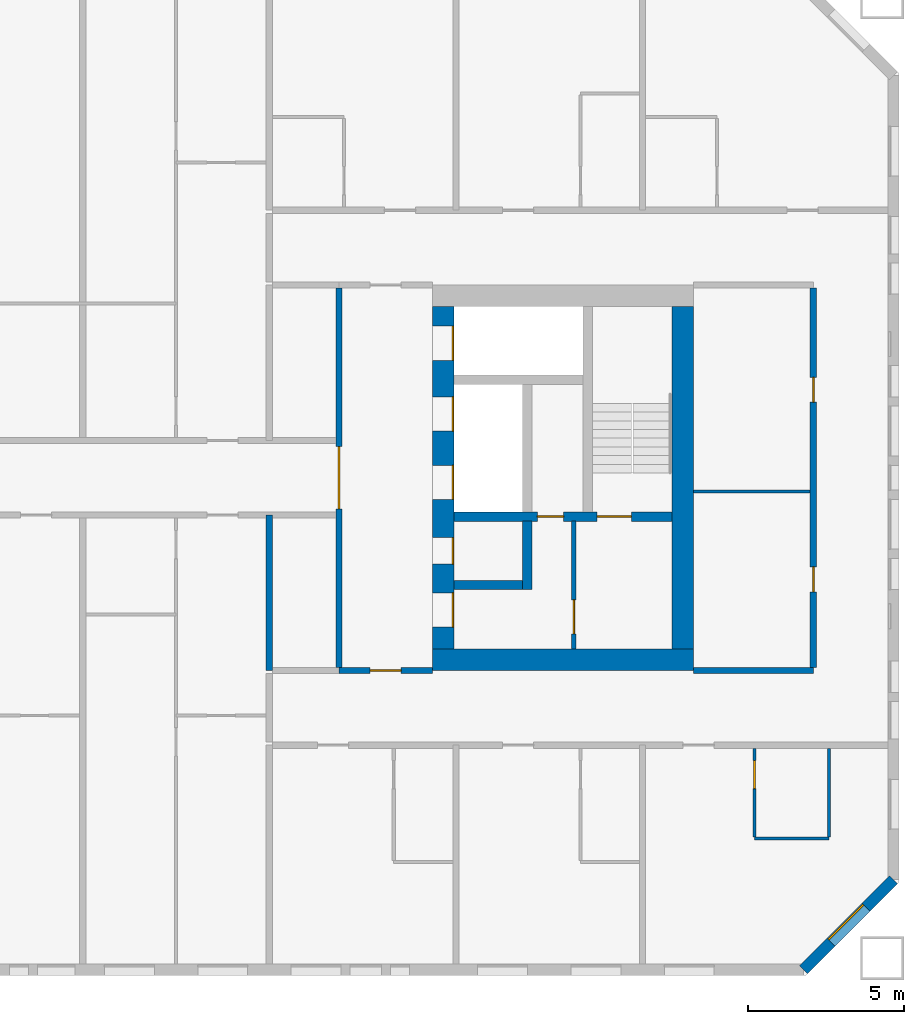
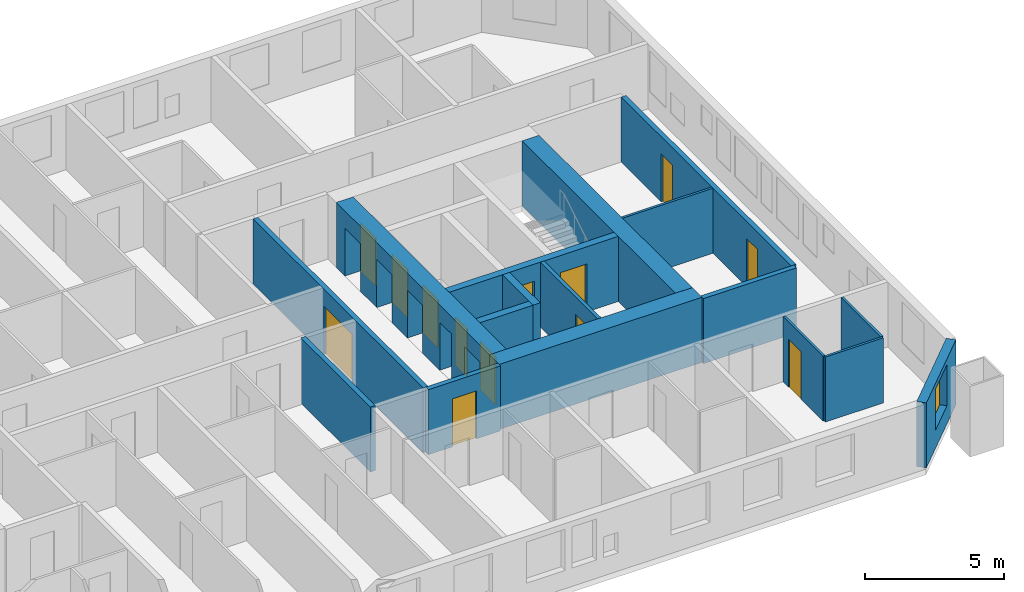
# One storey, part 12 of 17: 17 walls, 13 doors, 1 window, 14 openings.
"""IFC4 building model written with IfcOpenShell, lengths in metres."""

from ifc_helpers import new_model, si_unit, direction, frame, frame_2d, origin, place, context, subcontext, project, spatial, rectangle, extrude, material, layer, layer_set, type_object, element, fill, save


model = new_model("IFC4")

# Units and contexts
model_context = context("Model", 3, precision=1e-05, world=origin(), true_north=direction((0.0, 1.0)))
body_context = subcontext(model_context, "Body", "Model", "MODEL_VIEW")
ifc_project = project(units=[si_unit("LENGTHUNIT", "METRE"), si_unit("AREAUNIT", "SQUARE_METRE"), si_unit("VOLUMEUNIT", "CUBIC_METRE"), si_unit("PLANEANGLEUNIT", "RADIAN"), si_unit("MASSUNIT", "GRAM", prefix="KILO")], contexts=[model_context])

# Site, building, storey
site_placement = place(None, origin())
site = spatial("IfcSite", under=ifc_project, at=site_placement, CompositionType="ELEMENT")
building_placement = place(site_placement, origin())
building = spatial("IfcBuilding", under=site, at=building_placement, Name="Tuart Gate Housing", CompositionType="ELEMENT")
storey_placement = place(building_placement, frame((0.0, 0.0, 80.89990234375)))
storey = spatial("IfcBuildingStorey", under=building, at=storey_placement, Name="L22", CompositionType="ELEMENT", Elevation=80.89990234375)

# Wall, opening, window
ifc_material_1 = material(Name="Brick", Category="masonry")
ifc_layer_1 = layer(ifc_material_1, 0.360107421875)
ifc_layer_set_1 = layer_set([ifc_layer_1], Name="Brick pier and spandrel wall 360")
wall_type_1 = type_object("IfcWallType", Name="Brick pier and spandrel wall 360", PredefinedType="STANDARD", material=ifc_layer_set_1)
wall_1_placement = place(storey_placement, frame((172.17529296875, 54.179931640625, 0.0), z_axis=(0.0, 0.0, 1.0), x_axis=(0.707106781187, 0.707106781187, 0.0)))
wall_1 = element("IfcWall", 1, at=wall_1_placement, inside=storey, type_object=wall_type_1, Name="External wall B-SE L22", PredefinedType="STANDARD", context=body_context, shape_type="SweptSolid", body=[
    extrude(rectangle(XDim=4.09375, YDim=0.360107421875, at=frame_2d((2.046875, 0.0))), origin(), (0.0, 0.0, 1.0), 2.85009765625),
])
opening_1_placement = place(wall_1_placement, frame((1.2470703125, 0.0, 0.800048828125)))
opening_1 = element("IfcOpeningElement", 2, at=opening_1_placement, cuts=wall_1, Name="Opening W1", PredefinedType="OPENING", context=body_context, shape_type="SweptSolid", body=[
    extrude(rectangle(XDim=1.60009765625, YDim=1.800048828125, at=frame_2d((0.800048828125, 0.89990234375))), frame((0.0, 0.18994140625, 0.0), z_axis=(0.0, -1.0, 0.0), x_axis=(1.0, 0.0, 0.0)), (0.0, 0.0, 1.0), 0.380126953125),
])
ifc_material_2 = material(Name="Aluminium frame with clear glass", Category="aluminium")
window_type = type_object("IfcWindowType", Name="Punched window 1600 x 1800", PartitioningType="SINGLE_PANEL", PredefinedType="WINDOW", material=ifc_material_2)
window_placement = place(opening_1_placement, origin())
window = element("IfcWindow", 3, at=window_placement, inside=storey, type_object=window_type, Name="Window W1", OverallHeight=1.800048828125, OverallWidth=1.60009765625, PartitioningType="SINGLE_PANEL", PredefinedType="WINDOW", context=body_context, shape_type="SweptSolid", body=[
    extrude(rectangle(XDim=1.60009765625, YDim=1.800048828125, at=frame_2d((0.800048828125, 0.89990234375))), frame((0.0, 0.150146484375, 0.0), z_axis=(0.0, -1.0, 0.0), x_axis=(1.0, 0.0, 0.0)), (0.0, 0.0, 1.0), 0.06005859375),
])
fill(opening_1, window)

# Wall, opening, door
ifc_material_3 = material(Name="Plasterboard partition")
ifc_layer_2 = layer(ifc_material_3, 0.14990234375)
ifc_layer_set_2 = layer_set([ifc_layer_2], Name="Core partition 150")
wall_type_2 = type_object("IfcWallType", Name="Core partition 150", PredefinedType="PARTITIONING", material=ifc_layer_set_2)
wall_2_placement = place(storey_placement, frame((164.7900390625, 68.60009765625, 0.0), z_axis=(0.0, 0.0, 1.0), x_axis=(0.0, -1.0, 0.0)))
wall_2 = element("IfcWall", 4, at=wall_2_placement, inside=storey, type_object=wall_type_2, Name="Core partition BK.6", PredefinedType="PARTITIONING", context=body_context, shape_type="SweptSolid", body=[
    extrude(rectangle(XDim=4.10009765625, YDim=0.14990234375, at=frame_2d((2.050048828125, 0.0))), origin(), (0.0, 0.0, 1.0), 2.85009765625),
])
opening_2_placement = place(wall_2_placement, frame((2.52490234375, 0.0, 0.0)))
opening_2 = element("IfcOpeningElement", 5, at=opening_2_placement, cuts=wall_2, Name="Opening D1047", PredefinedType="OPENING", context=body_context, shape_type="SweptSolid", body=[
    extrude(rectangle(XDim=1.10009765625, YDim=2.10009765625, at=frame_2d((0.550048828125, 1.050048828125))), frame((0.0, 0.0849609375, 0.0), z_axis=(0.0, -1.0, 0.0), x_axis=(1.0, 0.0, 0.0)), (0.0, 0.0, 1.0), 0.169921875),
])
ifc_material_4 = material(Name="Steel fire door", Category="steel")
door_type_1 = type_object("IfcDoorType", Name="Lobby door 1100 x 2100 RH", OperationType="SINGLE_SWING_RIGHT", PredefinedType="DOOR", material=ifc_material_4)
door_1_placement = place(opening_2_placement, origin())
door_1 = element("IfcDoor", 6, at=door_1_placement, inside=storey, type_object=door_type_1, Name="Smoke lobby door BK.KD", OperationType="SINGLE_SWING_RIGHT", OverallHeight=2.10009765625, OverallWidth=1.10009765625, PredefinedType="DOOR", context=body_context, shape_type="SweptSolid", body=[
    extrude(rectangle(XDim=1.10009765625, YDim=2.10009765625, at=frame_2d((0.550048828125, 1.050048828125))), frame((0.0, 0.02490234375, 0.0), z_axis=(0.0, -1.0, 0.0), x_axis=(1.0, 0.0, 0.0)), (0.0, 0.0, 1.0), 0.050048828125),
])
fill(opening_2, door_1)

# Wall, openings, doors
ifc_material_5 = material(Name="Concrete C50", Category="concrete")
ifc_layer_3 = layer(ifc_material_5, 0.300048828125)
ifc_layer_set_3 = layer_set([ifc_layer_3], Name="Core wall 300 C50")
wall_type_3 = type_object("IfcWallType", Name="Core wall 300 C50", PredefinedType="SHEAR", material=ifc_layer_set_3)
wall_3_placement = place(storey_placement, frame((160.93994140625, 68.75, 0.0), z_axis=(0.0, 0.0, 1.0), x_axis=(1.0, 0.0, 0.0)))
wall_3 = element("IfcWall", 7, at=wall_3_placement, inside=storey, type_object=wall_type_3, Name="Core wall BK.2", PredefinedType="SHEAR", context=body_context, shape_type="SweptSolid", body=[
    extrude(rectangle(XDim=7.0, YDim=0.300048828125, at=frame_2d((3.5, 0.0))), origin(), (0.0, 0.0, 1.0), 2.85009765625),
])
opening_3_placement = place(wall_3_placement, frame((4.60009765625, 0.0, 0.0)))
opening_3 = element("IfcOpeningElement", 8, at=opening_3_placement, cuts=wall_3, Name="Opening D1046", PredefinedType="OPENING", context=body_context, shape_type="SweptSolid", body=[
    extrude(rectangle(XDim=1.10009765625, YDim=2.10009765625, at=frame_2d((0.550048828125, 1.050048828125))), frame((0.0, 0.159912109375, 0.0), z_axis=(0.0, -1.0, 0.0), x_axis=(1.0, 0.0, 0.0)), (0.0, 0.0, 1.0), 0.320068359375),
])
opening_4_placement = place(wall_3_placement, frame((2.675048828125, 0.0, 0.0)))
opening_4 = element("IfcOpeningElement", 9, at=opening_4_placement, cuts=wall_3, Name="Opening D1045", PredefinedType="OPENING", context=body_context, shape_type="SweptSolid", body=[
    extrude(rectangle(XDim=0.85009765625, YDim=2.10009765625, at=frame_2d((0.425048828125, 1.050048828125))), frame((0.0, 0.159912109375, 0.0), z_axis=(0.0, -1.0, 0.0), x_axis=(1.0, 0.0, 0.0)), (0.0, 0.0, 1.0), 0.320068359375),
])
ifc_material_6 = material(Name="Steel fire door", Category="steel")
door_type_2 = type_object("IfcDoorType", Name="Riser door 850 x 2100", OperationType="SINGLE_SWING_LEFT", PredefinedType="DOOR", material=ifc_material_6)
door_2_placement = place(opening_4_placement, origin())
door_2 = element("IfcDoor", 10, at=door_2_placement, inside=storey, type_object=door_type_2, Name="Service room door BK.W1", OperationType="SINGLE_SWING_LEFT", OverallHeight=2.10009765625, OverallWidth=0.85009765625, PredefinedType="DOOR", context=body_context, shape_type="SweptSolid", body=[
    extrude(rectangle(XDim=0.85009765625, YDim=2.10009765625, at=frame_2d((0.425048828125, 1.050048828125))), frame((0.0, 0.02490234375, 0.0), z_axis=(0.0, -1.0, 0.0), x_axis=(1.0, 0.0, 0.0)), (0.0, 0.0, 1.0), 0.050048828125),
])
fill(opening_4, door_2)
ifc_material_7 = material(Name="Steel fire door", Category="steel")
door_type_3 = type_object("IfcDoorType", Name="Stair door 1100 x 2100", OperationType="SINGLE_SWING_LEFT", PredefinedType="DOOR", material=ifc_material_7)
door_3_placement = place(opening_3_placement, origin())
door_3 = element("IfcDoor", 11, at=door_3_placement, inside=storey, type_object=door_type_3, Name="Stair door BK.SD", OperationType="SINGLE_SWING_LEFT", OverallHeight=2.10009765625, OverallWidth=1.10009765625, PredefinedType="DOOR", context=body_context, shape_type="SweptSolid", body=[
    extrude(rectangle(XDim=1.10009765625, YDim=2.10009765625, at=frame_2d((0.550048828125, 1.050048828125))), frame((0.0, 0.02490234375, 0.0), z_axis=(0.0, -1.0, 0.0), x_axis=(1.0, 0.0, 0.0)), (0.0, 0.0, 1.0), 0.050048828125),
])
fill(opening_3, door_3)

# Walls
wall_4_placement = place(storey_placement, frame((160.93994140625, 66.550048828125, 0.0), z_axis=(0.0, 0.0, 1.0), x_axis=(1.0, 0.0, 0.0)))
element("IfcWall", 12, at=wall_4_placement, inside=storey, type_object=wall_type_3, Name="Core wall BK.3", PredefinedType="SHEAR", context=body_context, shape_type="SweptSolid", body=[
    extrude(rectangle(XDim=2.199951171875, YDim=0.300048828125, at=frame_2d((1.10009765625, 0.0))), origin(), (0.0, 0.0, 1.0), 2.85009765625),
])
wall_5_placement = place(storey_placement, frame((163.2900390625, 68.60009765625, 0.0), z_axis=(0.0, 0.0, 1.0), x_axis=(0.0, -1.0, 0.0)))
element("IfcWall", 13, at=wall_5_placement, inside=storey, type_object=wall_type_3, Name="Core wall BK.5", PredefinedType="SHEAR", context=body_context, shape_type="SweptSolid", body=[
    extrude(rectangle(XDim=2.2001953125, YDim=0.300048828125, at=frame_2d((1.10009765625, 0.0))), origin(), (0.0, 0.0, 1.0), 2.85009765625),
])

# Wall, openings, doors
ifc_material_8 = material(Name="Concrete C50", Category="concrete")
ifc_layer_4 = layer(ifc_material_8, 0.699951171875)
ifc_layer_set_4 = layer_set([ifc_layer_4], Name="Core wall 700 C50")
wall_type_4 = type_object("IfcWallType", Name="Core wall 700 C50", PredefinedType="SHEAR", material=ifc_layer_set_4)
wall_6_placement = place(storey_placement, frame((160.590087890625, 75.5, 0.0), z_axis=(0.0, 0.0, 1.0), x_axis=(0.0, -1.0, 0.0)))
wall_6 = element("IfcWall", 14, at=wall_6_placement, inside=storey, type_object=wall_type_4, Name="Core wall BK front", PredefinedType="SHEAR", context=body_context, shape_type="SweptSolid", body=[
    extrude(rectangle(XDim=11.0, YDim=0.699951171875, at=frame_2d((5.5, 0.0))), origin(), (0.0, 0.0, 1.0), 2.85009765625),
])
opening_5_placement = place(wall_6_placement, frame((0.625, 0.0, 0.0)))
opening_5 = element("IfcOpeningElement", 15, at=opening_5_placement, cuts=wall_6, Name="Opening LD-FB2", PredefinedType="OPENING", context=body_context, shape_type="SweptSolid", body=[
    extrude(rectangle(XDim=1.10009765625, YDim=2.10009765625, at=frame_2d((0.550048828125, 1.050048828125))), frame((0.0, 0.35986328125, 0.0), z_axis=(0.0, -1.0, 0.0), x_axis=(1.0, 0.0, 0.0)), (0.0, 0.0, 1.0), 0.719970703125),
])
opening_6_placement = place(wall_6_placement, frame((2.89990234375, 0.0, 0.0)))
opening_6 = element("IfcOpeningElement", 16, at=opening_6_placement, cuts=wall_6, Name="Opening LD-LB3", PredefinedType="OPENING", context=body_context, shape_type="SweptSolid", body=[
    extrude(rectangle(XDim=1.10009765625, YDim=2.10009765625, at=frame_2d((0.550048828125, 1.050048828125))), frame((0.0, 0.35986328125, 0.0), z_axis=(0.0, -1.0, 0.0), x_axis=(1.0, 0.0, 0.0)), (0.0, 0.0, 1.0), 0.719970703125),
])
opening_7_placement = place(wall_6_placement, frame((5.10009765625, 0.0, 0.0)))
opening_7 = element("IfcOpeningElement", 17, at=opening_7_placement, cuts=wall_6, Name="Opening LD-LB4", PredefinedType="OPENING", context=body_context, shape_type="SweptSolid", body=[
    extrude(rectangle(XDim=1.10009765625, YDim=2.10009765625, at=frame_2d((0.550048828125, 1.050048828125))), frame((0.0, 0.35986328125, 0.0), z_axis=(0.0, -1.0, 0.0), x_axis=(1.0, 0.0, 0.0)), (0.0, 0.0, 1.0), 0.719970703125),
])
opening_8_placement = place(wall_6_placement, frame((9.199951171875, 0.0, 0.0)))
opening_8 = element("IfcOpeningElement", 18, at=opening_8_placement, cuts=wall_6, Name="Opening D1039", PredefinedType="OPENING", context=body_context, shape_type="SweptSolid", body=[
    extrude(rectangle(XDim=1.10009765625, YDim=2.10009765625, at=frame_2d((0.550048828125, 1.050048828125))), frame((0.0, 0.35986328125, 0.0), z_axis=(0.0, -1.0, 0.0), x_axis=(1.0, 0.0, 0.0)), (0.0, 0.0, 1.0), 0.719970703125),
])
opening_9_placement = place(wall_6_placement, frame((7.425048828125, 0.0, 0.0)))
opening_9 = element("IfcOpeningElement", 19, at=opening_9_placement, cuts=wall_6, Name="Opening D1040", PredefinedType="OPENING", context=body_context, shape_type="SweptSolid", body=[
    extrude(rectangle(XDim=0.85009765625, YDim=2.10009765625, at=frame_2d((0.425048828125, 1.050048828125))), frame((0.0, 0.35986328125, 0.0), z_axis=(0.0, -1.0, 0.0), x_axis=(1.0, 0.0, 0.0)), (0.0, 0.0, 1.0), 0.719970703125),
])
ifc_material_9 = material(Name="Stainless steel", Category="steel")
door_type_4 = type_object("IfcDoorType", Name="Landing door 1100 x 2100", OperationType="DOUBLE_DOOR_SLIDING", PredefinedType="DOOR", material=ifc_material_9)
door_4_placement = place(opening_5_placement, origin())
door_4 = element("IfcDoor", 20, at=door_4_placement, inside=storey, type_object=door_type_4, Name="Lift landing door FB2", OperationType="DOUBLE_DOOR_SLIDING", OverallHeight=2.10009765625, OverallWidth=1.10009765625, PredefinedType="DOOR", context=body_context, shape_type="SweptSolid", body=[
    extrude(rectangle(XDim=1.10009765625, YDim=2.10009765625, at=frame_2d((0.550048828125, 1.050048828125))), frame((0.0, 0.3349609375, 0.0), z_axis=(0.0, -1.0, 0.0), x_axis=(1.0, 0.0, 0.0)), (0.0, 0.0, 1.0), 0.050048828125),
])
fill(opening_5, door_4)
door_5_placement = place(opening_6_placement, origin())
door_5 = element("IfcDoor", 21, at=door_5_placement, inside=storey, type_object=door_type_4, Name="Lift landing door LB3", OperationType="DOUBLE_DOOR_SLIDING", OverallHeight=2.10009765625, OverallWidth=1.10009765625, PredefinedType="DOOR", context=body_context, shape_type="SweptSolid", body=[
    extrude(rectangle(XDim=1.10009765625, YDim=2.10009765625, at=frame_2d((0.550048828125, 1.050048828125))), frame((0.0, 0.3349609375, 0.0), z_axis=(0.0, -1.0, 0.0), x_axis=(1.0, 0.0, 0.0)), (0.0, 0.0, 1.0), 0.050048828125),
])
fill(opening_6, door_5)
door_6_placement = place(opening_7_placement, origin())
door_6 = element("IfcDoor", 22, at=door_6_placement, inside=storey, type_object=door_type_4, Name="Lift landing door LB4", OperationType="DOUBLE_DOOR_SLIDING", OverallHeight=2.10009765625, OverallWidth=1.10009765625, PredefinedType="DOOR", context=body_context, shape_type="SweptSolid", body=[
    extrude(rectangle(XDim=1.10009765625, YDim=2.10009765625, at=frame_2d((0.550048828125, 1.050048828125))), frame((0.0, 0.3349609375, 0.0), z_axis=(0.0, -1.0, 0.0), x_axis=(1.0, 0.0, 0.0)), (0.0, 0.0, 1.0), 0.050048828125),
])
fill(opening_7, door_6)
ifc_material_10 = material(Name="Steel fire door", Category="steel")
door_type_5 = type_object("IfcDoorType", Name="Lobby door 1100 x 2100", OperationType="SINGLE_SWING_LEFT", PredefinedType="DOOR", material=ifc_material_10)
door_7_placement = place(opening_8_placement, origin())
door_7 = element("IfcDoor", 23, at=door_7_placement, inside=storey, type_object=door_type_5, Name="Lobby entry door BK.EN", OperationType="SINGLE_SWING_LEFT", OverallHeight=2.10009765625, OverallWidth=1.10009765625, PredefinedType="DOOR", context=body_context, shape_type="SweptSolid", body=[
    extrude(rectangle(XDim=1.10009765625, YDim=2.10009765625, at=frame_2d((0.550048828125, 1.050048828125))), frame((0.0, 0.3349609375, 0.0), z_axis=(0.0, -1.0, 0.0), x_axis=(1.0, 0.0, 0.0)), (0.0, 0.0, 1.0), 0.050048828125),
])
fill(opening_8, door_7)
ifc_material_11 = material(Name="Steel fire door", Category="steel")
door_type_6 = type_object("IfcDoorType", Name="Service door 850 x 2100", OperationType="SINGLE_SWING_LEFT", PredefinedType="DOOR", material=ifc_material_11)
door_8_placement = place(opening_9_placement, origin())
door_8 = element("IfcDoor", 24, at=door_8_placement, inside=storey, type_object=door_type_6, Name="Service room door BK.T1", OperationType="SINGLE_SWING_LEFT", OverallHeight=2.10009765625, OverallWidth=0.85009765625, PredefinedType="DOOR", context=body_context, shape_type="SweptSolid", body=[
    extrude(rectangle(XDim=0.85009765625, YDim=2.10009765625, at=frame_2d((0.425048828125, 1.050048828125))), frame((0.0, 0.3349609375, 0.0), z_axis=(0.0, -1.0, 0.0), x_axis=(1.0, 0.0, 0.0)), (0.0, 0.0, 1.0), 0.050048828125),
])
fill(opening_9, door_8)

# Walls
wall_7_placement = place(storey_placement, frame((168.2900390625, 75.5, 0.0), z_axis=(0.0, 0.0, 1.0), x_axis=(0.0, -1.0, 0.0)))
element("IfcWall", 25, at=wall_7_placement, inside=storey, type_object=wall_type_4, Name="Core wall BK back", PredefinedType="SHEAR", context=body_context, shape_type="SweptSolid", body=[
    extrude(rectangle(XDim=11.0, YDim=0.699951171875, at=frame_2d((5.5, 0.0))), origin(), (0.0, 0.0, 1.0), 2.85009765625),
])
wall_8_placement = place(storey_placement, frame((160.239990234375, 64.14990234375, 0.0), z_axis=(0.0, 0.0, 1.0), x_axis=(1.0, 0.0, 0.0)))
element("IfcWall", 26, at=wall_8_placement, inside=storey, type_object=wall_type_4, Name="Core wall BK north", PredefinedType="SHEAR", context=body_context, shape_type="SweptSolid", body=[
    extrude(rectangle(XDim=8.39990234375, YDim=0.699951171875, at=frame_2d((4.199951171875, 0.0))), origin(), (0.0, 0.0, 1.0), 2.85009765625),
])
ifc_material_12 = material(Name="Concrete masonry 15 MPa", Category="masonry")
ifc_layer_5 = layer(ifc_material_12, 0.199951171875)
ifc_layer_set_5 = layer_set([ifc_layer_5], Name="Corridor wall masonry 200")
wall_type_5 = type_object("IfcWallType", Name="Corridor wall masonry 200", PredefinedType="PARTITIONING", material=ifc_layer_set_5)
wall_9_placement = place(storey_placement, frame((168.639892578125, 63.800048828125, 0.0), z_axis=(0.0, 0.0, 1.0), x_axis=(1.0, 0.0, 0.0)))
element("IfcWall", 27, at=wall_9_placement, inside=storey, type_object=wall_type_5, Name="Corridor wall masonry 200", PredefinedType="PARTITIONING", context=body_context, shape_type="SweptSolid", body=[
    extrude(rectangle(XDim=3.85009765625, YDim=0.199951171875, at=frame_2d((1.925048828125, 0.0))), origin(), (0.0, 0.0, 1.0), 2.85009765625),
])

# Wall, openings, doors
wall_10_placement = place(storey_placement, frame((172.489990234375, 63.89990234375, 0.0), z_axis=(0.0, 0.0, 1.0), x_axis=(0.0, 1.0, 0.0)))
wall_10 = element("IfcWall", 28, at=wall_10_placement, inside=storey, type_object=wall_type_5, Name="Corridor wall masonry 200", PredefinedType="PARTITIONING", context=body_context, shape_type="SweptSolid", body=[
    extrude(rectangle(XDim=12.2001953125, YDim=0.199951171875, at=frame_2d((6.10009765625, 0.0))), origin(), (0.0, 0.0, 1.0), 2.85009765625),
])
opening_10_placement = place(wall_10_placement, frame((2.429931640625, 0.0, 0.0)))
opening_10 = element("IfcOpeningElement", 29, at=opening_10_placement, cuts=wall_10, Name="Opening D1041", PredefinedType="OPENING", context=body_context, shape_type="SweptSolid", body=[
    extrude(rectangle(XDim=0.800048828125, YDim=2.10009765625, at=frame_2d((0.39990234375, 1.050048828125))), frame((0.0, 0.10986328125, 0.0), z_axis=(0.0, -1.0, 0.0), x_axis=(1.0, 0.0, 0.0)), (0.0, 0.0, 1.0), 0.219970703125),
])
opening_11_placement = place(wall_10_placement, frame((8.530029296875, 0.0, 0.0)))
opening_11 = element("IfcOpeningElement", 30, at=opening_11_placement, cuts=wall_10, Name="Opening D1042", PredefinedType="OPENING", context=body_context, shape_type="SweptSolid", body=[
    extrude(rectangle(XDim=0.800048828125, YDim=2.10009765625, at=frame_2d((0.39990234375, 1.050048828125))), frame((0.0, 0.10986328125, 0.0), z_axis=(0.0, -1.0, 0.0), x_axis=(1.0, 0.0, 0.0)), (0.0, 0.0, 1.0), 0.219970703125),
])
ifc_material_13 = material(Name="Timber door leaf in steel frame", Category="steel")
door_type_7 = type_object("IfcDoorType", Name="Store door 800", OperationType="SINGLE_SWING_LEFT", PredefinedType="DOOR", material=ifc_material_13)
door_9_placement = place(opening_11_placement, origin())
door_9 = element("IfcDoor", 31, at=door_9_placement, inside=storey, type_object=door_type_7, Name="Store door", OperationType="SINGLE_SWING_LEFT", OverallHeight=2.10009765625, OverallWidth=0.800048828125, PredefinedType="DOOR", context=body_context, shape_type="SweptSolid", body=[
    extrude(rectangle(XDim=0.800048828125, YDim=2.10009765625, at=frame_2d((0.39990234375, 1.050048828125))), frame((0.0, 0.02490234375, 0.0), z_axis=(0.0, -1.0, 0.0), x_axis=(1.0, 0.0, 0.0)), (0.0, 0.0, 1.0), 0.050048828125),
])
fill(opening_11, door_9)
ifc_material_14 = material(Name="Timber door leaf in steel frame", Category="steel")
door_type_8 = type_object("IfcDoorType", Name="Store door 800 RH", OperationType="SINGLE_SWING_RIGHT", PredefinedType="DOOR", material=ifc_material_14)
door_10_placement = place(opening_10_placement, origin())
door_10 = element("IfcDoor", 32, at=door_10_placement, inside=storey, type_object=door_type_8, Name="Store door", OperationType="SINGLE_SWING_RIGHT", OverallHeight=2.10009765625, OverallWidth=0.800048828125, PredefinedType="DOOR", context=body_context, shape_type="SweptSolid", body=[
    extrude(rectangle(XDim=0.800048828125, YDim=2.10009765625, at=frame_2d((0.39990234375, 1.050048828125))), frame((0.0, 0.02490234375, 0.0), z_axis=(0.0, -1.0, 0.0), x_axis=(1.0, 0.0, 0.0)), (0.0, 0.0, 1.0), 0.050048828125),
])
fill(opening_10, door_10)

# Wall, opening, door
ifc_material_15 = material(Name="Concrete masonry 15 MPa", Category="masonry")
ifc_layer_6 = layer(ifc_material_15, 0.199951171875)
ifc_layer_set_6 = layer_set([ifc_layer_6], Name="Enclosure wall masonry 200")
wall_type_6 = type_object("IfcWallType", Name="Enclosure wall masonry 200", PredefinedType="PARTITIONING", material=ifc_layer_set_6)
wall_11_placement = place(storey_placement, frame((157.239990234375, 63.800048828125, 0.0), z_axis=(0.0, 0.0, 1.0), x_axis=(1.0, 0.0, 0.0)))
wall_11 = element("IfcWall", 33, at=wall_11_placement, inside=storey, type_object=wall_type_6, Name="Enclosure wall masonry 200", PredefinedType="PARTITIONING", context=body_context, shape_type="SweptSolid", body=[
    extrude(rectangle(XDim=3.0, YDim=0.199951171875, at=frame_2d((1.5, 0.0))), origin(), (0.0, 0.0, 1.0), 2.85009765625),
])
opening_12_placement = place(wall_11_placement, frame((1.0, 0.0, 0.0)))
opening_12 = element("IfcOpeningElement", 34, at=opening_12_placement, cuts=wall_11, Name="Opening D1049", PredefinedType="OPENING", context=body_context, shape_type="SweptSolid", body=[
    extrude(rectangle(XDim=1.0, YDim=2.10009765625, at=frame_2d((0.5, 1.050048828125))), frame((0.0, 0.10986328125, 0.0), z_axis=(0.0, -1.0, 0.0), x_axis=(1.0, 0.0, 0.0)), (0.0, 0.0, 1.0), 0.219970703125),
])
ifc_material_16 = material(Name="Timber door leaf in steel frame", Category="steel")
door_type_9 = type_object("IfcDoorType", Name="Fire door 1000 RH", OperationType="SINGLE_SWING_RIGHT", PredefinedType="DOOR", material=ifc_material_16)
door_11_placement = place(opening_12_placement, frame((1.0, 0.0, 0.0), z_axis=(0.0, 0.0, 1.0), x_axis=(-1.0, 0.0, 0.0)))
door_11 = element("IfcDoor", 35, at=door_11_placement, inside=storey, type_object=door_type_9, Name="Fire door", OperationType="SINGLE_SWING_RIGHT", OverallHeight=2.10009765625, OverallWidth=1.0, PredefinedType="DOOR", context=body_context, shape_type="SweptSolid", body=[
    extrude(rectangle(XDim=1.0, YDim=2.10009765625, at=frame_2d((0.5, 1.050048828125))), frame((0.0, 0.025146484375, 0.0), z_axis=(0.0, -1.0, 0.0), x_axis=(1.0, 0.0, 0.0)), (0.0, 0.0, 1.0), 0.050048828125),
])
fill(opening_12, door_11)

ifc_material_17 = material(Name="Plasterboard partition")
ifc_layer_7 = layer(ifc_material_17, 0.199951171875)
ifc_layer_set_7 = layer_set([ifc_layer_7], Name="Lobby wall 200")
wall_type_7 = type_object("IfcWallType", Name="Lobby wall 200", PredefinedType="PARTITIONING", material=ifc_layer_set_7)
wall_12_placement = place(storey_placement, frame((157.239990234375, 63.89990234375, 0.0), z_axis=(0.0, 0.0, 1.0), x_axis=(0.0, 1.0, 0.0)))
wall_12 = element("IfcWall", 36, at=wall_12_placement, inside=storey, type_object=wall_type_7, Name="Lift lobby wall BK", PredefinedType="PARTITIONING", context=body_context, shape_type="SweptSolid", body=[
    extrude(rectangle(XDim=12.2001953125, YDim=0.199951171875, at=frame_2d((6.10009765625, 0.0))), origin(), (0.0, 0.0, 1.0), 2.85009765625),
])
opening_13_placement = place(wall_12_placement, frame((5.10009765625, 0.0, 0.0)))
opening_13 = element("IfcOpeningElement", 37, at=opening_13_placement, cuts=wall_12, Name="Opening D1038", PredefinedType="OPENING", context=body_context, shape_type="SweptSolid", body=[
    extrude(rectangle(XDim=2.0, YDim=2.10009765625, at=frame_2d((1.0, 1.050048828125))), frame((0.0, 0.10986328125, 0.0), z_axis=(0.0, -1.0, 0.0), x_axis=(1.0, 0.0, 0.0)), (0.0, 0.0, 1.0), 0.219970703125),
])
ifc_material_18 = material(Name="Steel fire door", Category="steel")
door_type_10 = type_object("IfcDoorType", Name="Smoke door 2000 x 2100", OperationType="DOUBLE_DOOR_SINGLE_SWING", PredefinedType="DOOR", material=ifc_material_18)
door_12_placement = place(opening_13_placement, frame((2.0, 0.0, 0.0), z_axis=(0.0, 0.0, 1.0), x_axis=(-1.0, 0.0, 0.0)))
door_12 = element("IfcDoor", 38, at=door_12_placement, inside=storey, type_object=door_type_10, Name="Lift lobby smoke door BK", OperationType="DOUBLE_DOOR_SINGLE_SWING", OverallHeight=2.10009765625, OverallWidth=2.0, PredefinedType="DOOR", context=body_context, shape_type="SweptSolid", body=[
    extrude(rectangle(XDim=2.0, YDim=2.10009765625, at=frame_2d((1.0, 1.050048828125))), frame((0.0, 0.025146484375, 0.0), z_axis=(0.0, -1.0, 0.0), x_axis=(1.0, 0.0, 0.0)), (0.0, 0.0, 1.0), 0.050048828125),
])
fill(opening_13, door_12)

# Walls
ifc_material_19 = material(Name="Gypsum board on steel studs", Category="steel")
ifc_layer_8 = layer(ifc_material_19, 0.10009765625)
ifc_layer_set_8 = layer_set([ifc_layer_8], Name="Partition 100")
wall_type_8 = type_object("IfcWallType", Name="Partition 100", PredefinedType="PARTITIONING", material=ifc_layer_set_8)
wall_13_placement = place(storey_placement, frame((170.60009765625, 58.39990234375, 0.0), z_axis=(0.0, 0.0, 1.0), x_axis=(1.0, 0.0, 0.0)))
element("IfcWall", 39, at=wall_13_placement, inside=storey, type_object=wall_type_8, Name="Partition 100", PredefinedType="PARTITIONING", context=body_context, shape_type="SweptSolid", body=[
    extrude(rectangle(XDim=2.39990234375, YDim=0.10009765625, at=frame_2d((1.199951171875, 0.0))), origin(), (0.0, 0.0, 1.0), 2.85009765625),
])
wall_14_placement = place(storey_placement, frame((168.639892578125, 69.56005859375, 0.0), z_axis=(0.0, 0.0, 1.0), x_axis=(1.0, 0.0, 0.0)))
element("IfcWall", 40, at=wall_14_placement, inside=storey, type_object=wall_type_8, Name="Partition 100", PredefinedType="PARTITIONING", context=body_context, shape_type="SweptSolid", body=[
    extrude(rectangle(XDim=3.75, YDim=0.10009765625, at=frame_2d((1.875, 0.0))), origin(), (0.0, 0.0, 1.0), 2.85009765625),
])

# Wall, opening, door
wall_15_placement = place(storey_placement, frame((170.60009765625, 58.449951171875, 0.0), z_axis=(0.0, 0.0, 1.0), x_axis=(0.0, 1.0, 0.0)))
wall_15 = element("IfcWall", 41, at=wall_15_placement, inside=storey, type_object=wall_type_8, Name="Partition 100", PredefinedType="PARTITIONING", context=body_context, shape_type="SweptSolid", body=[
    extrude(rectangle(XDim=2.85009765625, YDim=0.10009765625, at=frame_2d((1.425048828125, 0.0))), origin(), (0.0, 0.0, 1.0), 2.85009765625),
])
opening_14_placement = place(wall_15_placement, frame((1.550048828125, 0.0, 0.0)))
opening_14 = element("IfcOpeningElement", 42, at=opening_14_placement, cuts=wall_15, Name="Opening D1061", PredefinedType="OPENING", context=body_context, shape_type="SweptSolid", body=[
    extrude(rectangle(XDim=0.89990234375, YDim=2.10009765625, at=frame_2d((0.449951171875, 1.050048828125))), frame((0.0, 0.06005859375, 0.0), z_axis=(0.0, -1.0, 0.0), x_axis=(1.0, 0.0, 0.0)), (0.0, 0.0, 1.0), 0.1201171875),
])
ifc_material_20 = material(Name="Timber door leaf in steel frame", Category="steel")
door_type_11 = type_object("IfcDoorType", Name="Bathroom door 900", OperationType="SINGLE_SWING_LEFT", PredefinedType="DOOR", material=ifc_material_20)
door_13_placement = place(opening_14_placement, frame((0.89990234375, 0.0, 0.0), z_axis=(0.0, 0.0, 1.0), x_axis=(-1.0, 0.0, 0.0)))
door_13 = element("IfcDoor", 43, at=door_13_placement, inside=storey, type_object=door_type_11, Name="Bathroom door", OperationType="SINGLE_SWING_LEFT", OverallHeight=2.10009765625, OverallWidth=0.89990234375, PredefinedType="DOOR", context=body_context, shape_type="SweptSolid", body=[
    extrude(rectangle(XDim=0.89990234375, YDim=2.10009765625, at=frame_2d((0.449951171875, 1.050048828125))), frame((0.0, 0.025146484375, 0.0), z_axis=(0.0, -1.0, 0.0), x_axis=(1.0, 0.0, 0.0)), (0.0, 0.0, 1.0), 0.050048828125),
])
fill(opening_14, door_13)

# Walls
wall_16_placement = place(storey_placement, frame((173.0, 58.449951171875, 0.0), z_axis=(0.0, 0.0, 1.0), x_axis=(0.0, 1.0, 0.0)))
element("IfcWall", 44, at=wall_16_placement, inside=storey, type_object=wall_type_8, Name="Partition 100", PredefinedType="PARTITIONING", context=body_context, shape_type="SweptSolid", body=[
    extrude(rectangle(XDim=2.85009765625, YDim=0.10009765625, at=frame_2d((1.425048828125, 0.0))), origin(), (0.0, 0.0, 1.0), 2.85009765625),
])
ifc_material_21 = material(Name="Concrete C40", Category="concrete")
ifc_layer_9 = layer(ifc_material_21, 0.199951171875)
ifc_layer_set_9 = layer_set([ifc_layer_9], Name="Party wall concrete C40 200")
wall_type_9 = type_object("IfcWallType", Name="Party wall concrete C40 200", PredefinedType="SOLIDWALL", material=ifc_layer_set_9)
wall_17_placement = place(storey_placement, frame((155.0, 63.800048828125, 0.0), z_axis=(0.0, 0.0, 1.0), x_axis=(0.0, 1.0, 0.0)))
element("IfcWall", 45, at=wall_17_placement, inside=storey, type_object=wall_type_9, Name="Party wall concrete C40 200", PredefinedType="SOLIDWALL", context=body_context, shape_type="SweptSolid", body=[
    extrude(rectangle(XDim=5.0, YDim=0.199951171875, at=frame_2d((2.5, 0.0))), origin(), (0.0, 0.0, 1.0), 2.85009765625),
])

save(model, "model.ifc")
